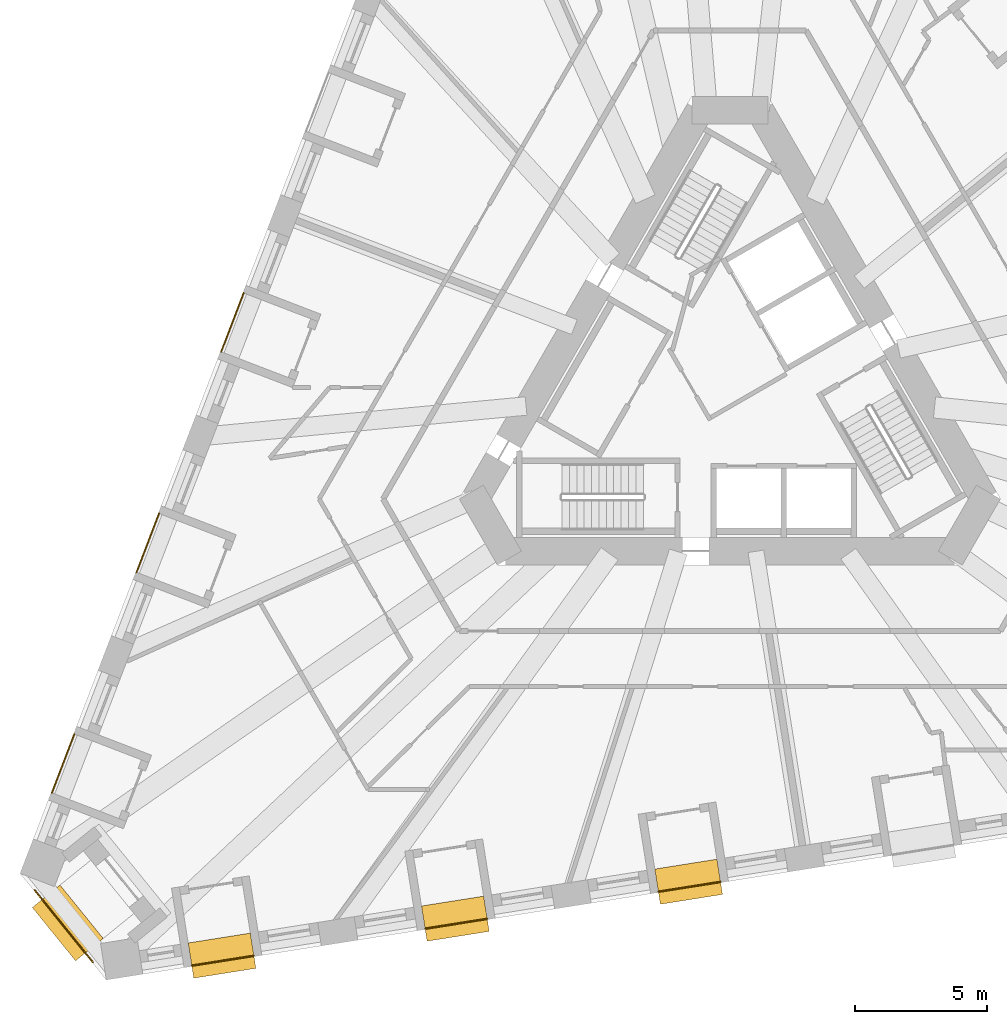
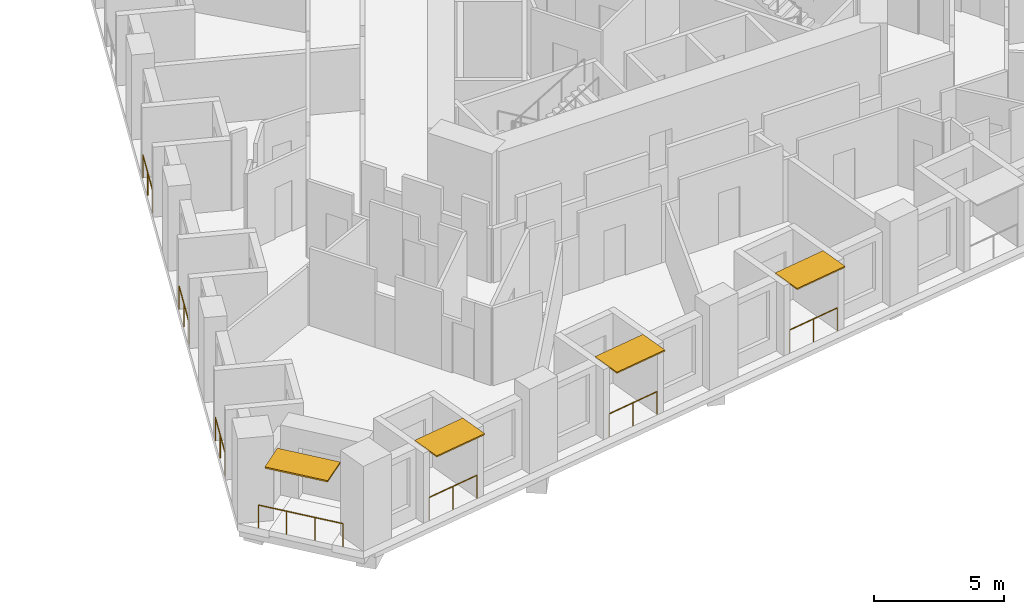
# One storey, part 11 of 14: 7 railings, 4 shading devices.
"""IFC4 building model written with IfcOpenShell, lengths in metres."""

from ifc_helpers import new_model, si_unit, direction, frame, origin, origin_2d, place, context, subcontext, project, spatial, rectangle, circle, extrude, material, layer, layer_set, type_object, element, save


model = new_model("IFC4")

# Units and contexts
model_context = context("Model", 3, precision=1e-05, world=origin(), true_north=direction((0.0, 1.0)))
body_context = subcontext(model_context, "Body", "Model", "MODEL_VIEW")
ifc_project = project(units=[si_unit("LENGTHUNIT", "METRE"), si_unit("AREAUNIT", "SQUARE_METRE"), si_unit("VOLUMEUNIT", "CUBIC_METRE"), si_unit("PLANEANGLEUNIT", "RADIAN"), si_unit("MASSUNIT", "GRAM", prefix="KILO")], contexts=[model_context])

# Site, building, storey
site_placement = place(None, origin())
site = spatial("IfcSite", under=ifc_project, at=site_placement, CompositionType="ELEMENT")
building_placement = place(site_placement, origin())
building = spatial("IfcBuilding", under=site, at=building_placement, Name="Tramontana Tower", CompositionType="ELEMENT")
storey_placement = place(building_placement, frame((0.0, 0.0, 59.199951171875)))
storey = spatial("IfcBuildingStorey", under=building, at=storey_placement, Name="L12", CompositionType="ELEMENT", Elevation=59.199951171875)

# Railings
ifc_material_1 = material(Name="Laminated glass balustrade", Category="glass")
railing_type = type_object("IfcRailingType", Name="GD1 Loggia glass balustrade 1100", PredefinedType="BALUSTRADE", material=ifc_material_1)
for number, where, name in (
    (1, (-18.419677734375, 3.55419921875, 0.0), "Loggia balustrade L12 G1S0.10"),
    (2, (-21.626708984375, -4.80029296875, 0.0), "Loggia balustrade L12 G1S0.13"),
):
    element("IfcRailing", number, at=place(storey_placement, frame(where)), inside=storey, type_object=railing_type, Name=name, PredefinedType="BALUSTRADE", context=body_context, shape_type="SweptSolid", body=[
        extrude(circle(Radius=0.02392578125, at=origin_2d()), frame((0.0, 0.0, 1.076171875), z_axis=(-0.358354292693, -0.933585668757, 0.0), x_axis=(0.933585668757, -0.358354292693, 0.0)), (0.0, 0.0, 1.0), 2.383056640625),
        extrude(circle(Radius=0.02099609375, at=origin_2d()), origin(), (0.0, 0.0, 1.0), 1.052001953125),
        extrude(circle(Radius=0.02099609375, at=origin_2d()), frame((-0.427001953125, -1.1123046875, 0.0)), (0.0, 0.0, 1.0), 1.052001953125),
        extrude(circle(Radius=0.02099609375, at=origin_2d()), frame((-0.85400390625, -2.224853515625, 0.0)), (0.0, 0.0, 1.0), 1.052001953125),
    ])
railing_1_placement = place(storey_placement, frame((-24.833740234375, -13.155029296875, 0.0)))
element("IfcRailing", 3, at=railing_1_placement, inside=storey, type_object=railing_type, Name="Loggia balustrade L12 G1S0.16", PredefinedType="BALUSTRADE", context=body_context, shape_type="SweptSolid", body=[
    extrude(circle(Radius=0.02392578125, at=origin_2d()), frame((0.0, 0.0, 1.076171875), z_axis=(-0.35838856932, -0.933572511046, 0.0), x_axis=(0.933572511046, -0.35838856932, 0.0)), (0.0, 0.0, 1.0), 2.3828125),
    extrude(circle(Radius=0.02099609375, at=origin_2d()), origin(), (0.0, 0.0, 1.0), 1.052001953125),
    extrude(circle(Radius=0.02099609375, at=origin_2d()), frame((-0.427001953125, -1.1123046875, 0.0)), (0.0, 0.0, 1.0), 1.052001953125),
    extrude(circle(Radius=0.02099609375, at=origin_2d()), frame((-0.85400390625, -2.224609375, 0.0)), (0.0, 0.0, 1.0), 1.052001953125),
])
railing_2_placement = place(storey_placement, frame((-20.38427734375, -21.9287109375, 0.0)))
element("IfcRailing", 4, at=railing_2_placement, inside=storey, type_object=railing_type, Name="Loggia balustrade L12 G1S1.1", PredefinedType="BALUSTRADE", context=body_context, shape_type="SweptSolid", body=[
    extrude(circle(Radius=0.02392578125, at=origin_2d()), frame((0.0, 0.0, 1.076171875), z_axis=(0.987685586014, 0.156451855793, 0.0), x_axis=(-0.156451855793, 0.987685586014, 0.0)), (0.0, 0.0, 1.0), 2.3828125),
    extrude(circle(Radius=0.02099609375, at=origin_2d()), origin(), (0.0, 0.0, 1.0), 1.052001953125),
    extrude(circle(Radius=0.02099609375, at=origin_2d()), frame((1.1767578125, 0.1865234375, 0.0)), (0.0, 0.0, 1.0), 1.052001953125),
    extrude(circle(Radius=0.02099609375, at=origin_2d()), frame((2.353515625, 0.372802734375, 0.0)), (0.0, 0.0, 1.0), 1.052001953125),
])
railing_3_placement = place(storey_placement, frame((-11.545654296875, -20.52880859375, 0.0)))
element("IfcRailing", 5, at=railing_3_placement, inside=storey, type_object=railing_type, Name="Loggia balustrade L12 G1S1.4", PredefinedType="BALUSTRADE", context=body_context, shape_type="SweptSolid", body=[
    extrude(circle(Radius=0.02392578125, at=origin_2d()), frame((0.0, 0.0, 1.076171875), z_axis=(0.987688093492, 0.15643602518, 0.0), x_axis=(-0.15643602518, 0.987688093492, 0.0)), (0.0, 0.0, 1.0), 2.383056640625),
    extrude(circle(Radius=0.02099609375, at=origin_2d()), origin(), (0.0, 0.0, 1.0), 1.052001953125),
    extrude(circle(Radius=0.02099609375, at=origin_2d()), frame((1.1767578125, 0.1865234375, 0.0)), (0.0, 0.0, 1.0), 1.052001953125),
    extrude(circle(Radius=0.02099609375, at=origin_2d()), frame((2.353759765625, 0.372802734375, 0.0)), (0.0, 0.0, 1.0), 1.052001953125),
])
railing_4_placement = place(storey_placement, frame((-2.706787109375, -19.12890625, 0.0)))
element("IfcRailing", 6, at=railing_4_placement, inside=storey, type_object=railing_type, Name="Loggia balustrade L12 G1S1.7", PredefinedType="BALUSTRADE", context=body_context, shape_type="SweptSolid", body=[
    extrude(circle(Radius=0.02392578125, at=origin_2d()), frame((0.0, 0.0, 1.076171875), z_axis=(0.987685586014, 0.156451855793, 0.0), x_axis=(-0.156451855793, 0.987685586014, 0.0)), (0.0, 0.0, 1.0), 2.3828125),
    extrude(circle(Radius=0.02099609375, at=origin_2d()), origin(), (0.0, 0.0, 1.0), 1.052001953125),
    extrude(circle(Radius=0.02099609375, at=origin_2d()), frame((1.1767578125, 0.1865234375, 0.0)), (0.0, 0.0, 1.0), 1.052001953125),
    extrude(circle(Radius=0.02099609375, at=origin_2d()), frame((2.353515625, 0.372802734375, 0.0)), (0.0, 0.0, 1.0), 1.052001953125),
])
railing_5_placement = place(storey_placement, frame((-24.132568359375, -21.7939453125, 0.0)))
element("IfcRailing", 7, at=railing_5_placement, inside=storey, type_object=railing_type, Name="Corner loggia balustrade L12 K11", PredefinedType="BALUSTRADE", context=body_context, shape_type="SweptSolid", body=[
    extrude(circle(Radius=0.02392578125, at=origin_2d()), frame((0.0, 0.0, 1.076171875), z_axis=(-0.629328651904, 0.777139271876, 0.0), x_axis=(-0.777139271876, -0.629328651904, 0.0)), (0.0, 0.0, 1.0), 3.5),
    extrude(circle(Radius=0.02099609375, at=origin_2d()), origin(), (0.0, 0.0, 1.0), 1.052001953125),
    extrude(circle(Radius=0.02099609375, at=origin_2d()), frame((-0.734130859375, 0.90673828125, 0.0)), (0.0, 0.0, 1.0), 1.052001953125),
    extrude(circle(Radius=0.02099609375, at=origin_2d()), frame((-1.468505859375, 1.813232421875, 0.0)), (0.0, 0.0, 1.0), 1.052001953125),
    extrude(circle(Radius=0.02099609375, at=origin_2d()), frame((-2.20263671875, 2.719970703125, 0.0)), (0.0, 0.0, 1.0), 1.052001953125),
])

# Shading devices
ifc_material_2 = material(Name="Precast concrete 60 MPa", Category="concrete")
ifc_layer_1 = layer(ifc_material_2, 0.06005859375)
ifc_layer_set_1 = layer_set([ifc_layer_1], Name="SS1 Stone sunshade blade 60")
shading_device_type_1 = type_object("IfcShadingDeviceType", Name="SS1 Stone sunshade blade 60", PredefinedType="USERDEFINED", material=ifc_layer_set_1)
for number, where, z_axis, x_axis, name in (
    (8, (-19.238037109375, -21.5498046875, 3.239990234375), (0.0, 0.0, 1.0), (0.987688340595, 0.15643446504, 0.0), "Sunshade L12 G1S1.1"),
    (9, (-10.399169921875, -20.14990234375, 3.239990234375), (0.0, 0.0, 1.0), (0.987688340595, 0.15643446504, 0.0), "Sunshade L12 G1S1.4"),
    (10, (-1.560546875, -18.75, 3.239990234375), (0.0, 0.0, 1.0), (0.987688340595, 0.15643446504, 0.0), "Sunshade L12 G1S1.7"),
):
    element("IfcShadingDevice", number, at=place(storey_placement, frame(where, z_axis=z_axis, x_axis=x_axis)), inside=storey, type_object=shading_device_type_1, Name=name, ObjectType="SUNSHADE", PredefinedType="USERDEFINED", context=body_context, shape_type="SweptSolid", body=[
        extrude(rectangle(XDim=2.383056640625, YDim=1.35009765625, at=origin_2d()), origin(), (0.0, 0.0, 1.0), 0.06005859375),
    ])
ifc_material_3 = material(Name="Precast concrete 60 MPa", Category="concrete")
ifc_layer_2 = layer(ifc_material_3, 0.070068359375)
ifc_layer_set_2 = layer_set([ifc_layer_2], Name="SS2 Stone sunshade blade 70")
shading_device_type_2 = type_object("IfcShadingDeviceType", Name="SS2 Stone sunshade blade 70", PredefinedType="USERDEFINED", material=ifc_layer_set_2)
shading_device_placement = place(storey_placement, frame((-25.082275390625, -20.311279296875, 3.22998046875), z_axis=(0.0, 0.0, 1.0), x_axis=(-0.62932039105, 0.777145961457, 0.0)))
element("IfcShadingDevice", 11, at=shading_device_placement, inside=storey, type_object=shading_device_type_2, Name="Corner sunshade L12 K11", ObjectType="SUNSHADE", PredefinedType="USERDEFINED", context=body_context, shape_type="SweptSolid", body=[
    extrude(rectangle(XDim=2.60009765625, YDim=1.35009765625, at=origin_2d()), origin(), (0.0, 0.0, 1.0), 0.070068359375),
])

save(model, "model.ifc")
